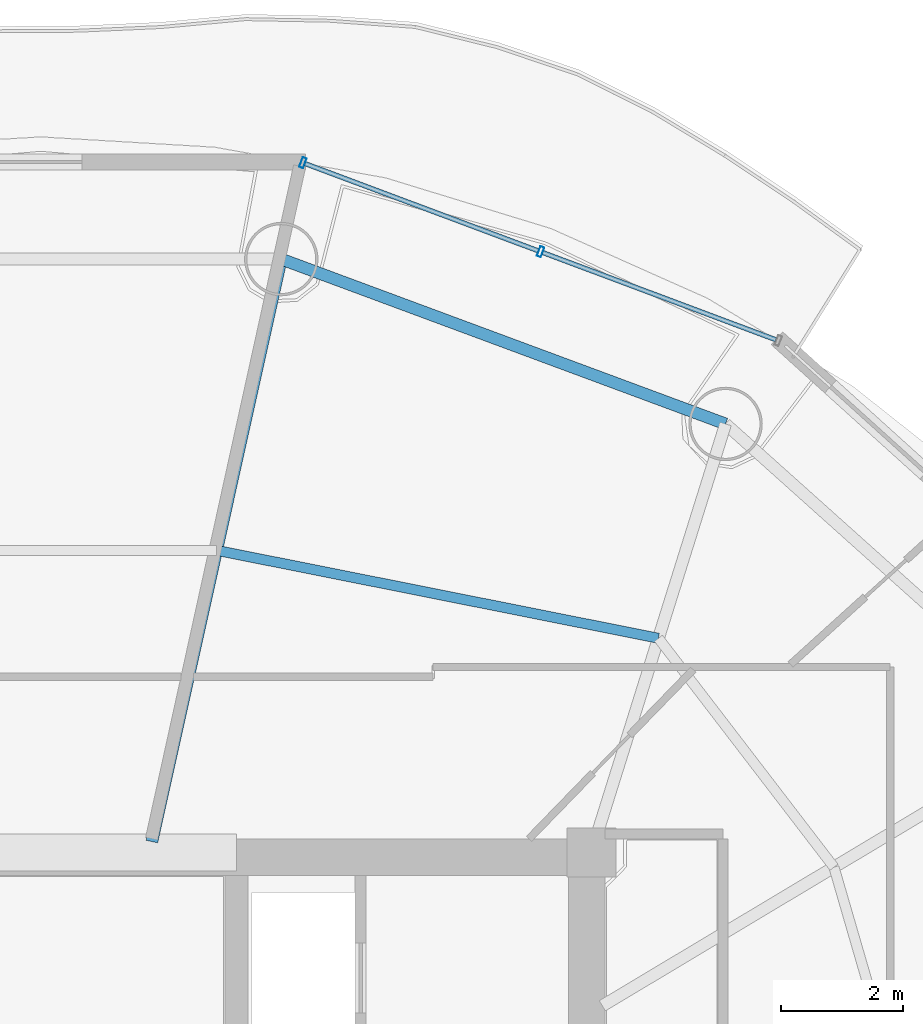
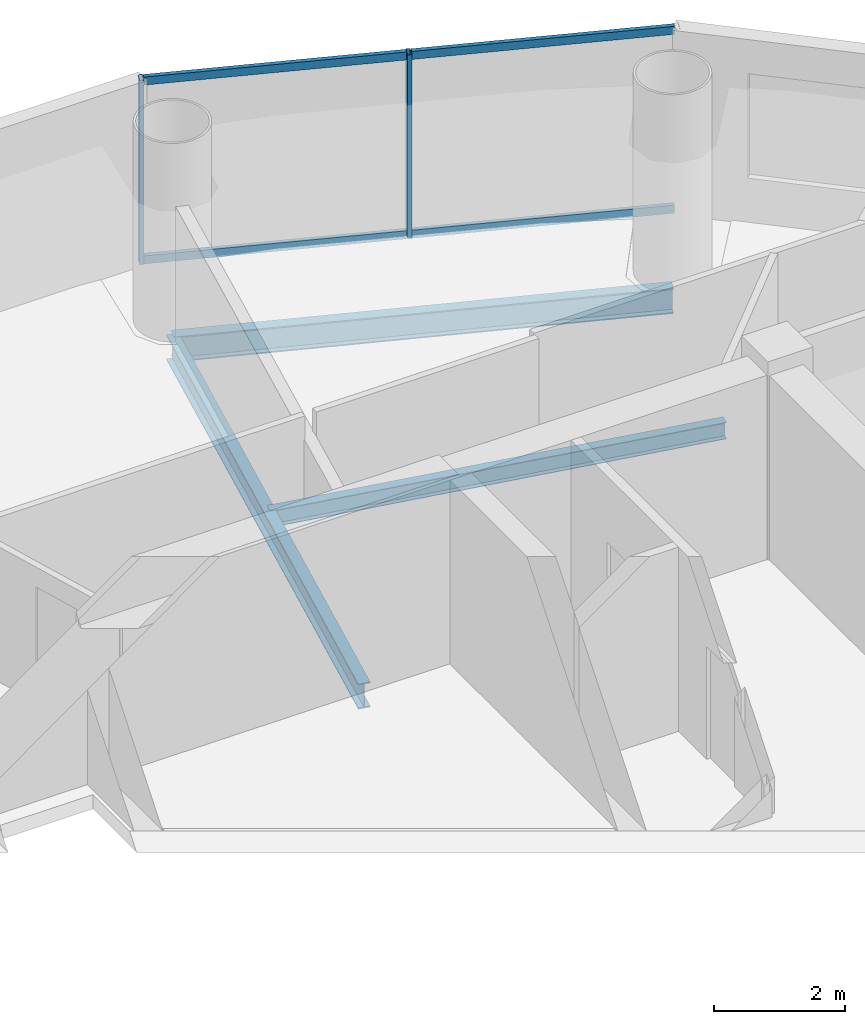
# One storey, part 17 of 26: 6 members, 3 beams, 1 element without a shape of its own.
"""IFC4 building model written with IfcOpenShell, lengths in metres."""

from ifc_helpers import new_model, si_unit, direction, frame, origin, origin_2d, place, context, subcontext, project, spatial, hollow_rectangle, i_section, extrude, source, transform, mapped, material, material_profile, profile_set, type_object, element, aggregate, save


model = new_model("IFC4")

# Units and contexts
model_context = context("Model", 3, precision=1e-05, world=origin(), true_north=direction((-0.2419218956, 0.970295726276)))
body_context = subcontext(model_context, "Body", "Model", "MODEL_VIEW")
ifc_project = project(units=[si_unit("LENGTHUNIT", "METRE"), si_unit("AREAUNIT", "SQUARE_METRE"), si_unit("VOLUMEUNIT", "CUBIC_METRE"), si_unit("PLANEANGLEUNIT", "RADIAN"), si_unit("MASSUNIT", "GRAM", prefix="KILO")], contexts=[model_context])

# Site, building, storey
site_placement = place(None, origin())
site = spatial("IfcSite", under=ifc_project, at=site_placement, CompositionType="ELEMENT")
building_placement = place(site_placement, origin())
building = spatial("IfcBuilding", under=site, at=building_placement, Name="Cobrevalo Terracotta Tower", CompositionType="ELEMENT")
storey_placement = place(building_placement, frame((0.0, 0.0, 228.199951171875)))
storey = spatial("IfcBuildingStorey", under=building, at=storey_placement, Name="L60", CompositionType="ELEMENT", Elevation=228.199951171875)

# Beams
ifc_material_1 = material(Name="Steel S355", Category="steel")
ifc_material_profile_1 = material_profile(ifc_material_1, i_section(OverallWidth=0.194091796875, OverallDepth=0.468994140625, WebThickness=0.011474609375, FlangeThickness=0.0205078125, at=origin_2d()), Name="W 460x106")
ifc_profile_set_1 = profile_set([ifc_material_profile_1], Name="Steel S355")
beam_type_1 = type_object("IfcBeamType", Name="Structural Beam W 460x106 (Steel S355)", PredefinedType="BEAM", material=ifc_profile_set_1)
beam_1_placement = place(storey_placement, frame((41.93115234375, 44.503173828125, -0.49951171875), z_axis=(-0.216782061165, -0.976220025382, 0.0), x_axis=(0.976220025382, -0.216782061165, 0.0)))
element("IfcBeam", 1, at=beam_1_placement, inside=storey, type_object=beam_type_1, Name="L60 radial floor girder 04", PredefinedType="BEAM", context=body_context, shape_type="SweptSolid", body=[
    extrude(i_section(OverallWidth=0.194091796875, OverallDepth=0.468994140625, WebThickness=0.011474609375, FlangeThickness=0.0205078125, at=origin_2d()), origin(), (0.0, 0.0, 1.0), 9.755126953125),
])
ifc_material_profile_2 = material_profile(ifc_material_1, i_section(OverallWidth=0.1650390625, OverallDepth=0.31005859375, WebThickness=0.005859375, FlangeThickness=0.009765625, at=origin_2d()), Name="W 310x38.7")
ifc_profile_set_2 = profile_set([ifc_material_profile_2], Name="Steel S355")
beam_type_2 = type_object("IfcBeamType", Name="Structural Joist W 310x38.7 (Steel S355)", PredefinedType="JOIST", material=ifc_profile_set_2)
beam_2_placement = place(storey_placement, frame((48.097412109375, 38.303955078125, -0.419921875), z_axis=(-0.980762562197, 0.195204499418, 0.0), x_axis=(-0.195204499418, -0.980762562197, 0.0)))
element("IfcBeam", 2, at=beam_2_placement, inside=storey, type_object=beam_type_2, Name="L60 circumferential secondary floor joist 03", PredefinedType="JOIST", context=body_context, shape_type="SweptSolid", body=[
    extrude(i_section(OverallWidth=0.1650390625, OverallDepth=0.31005859375, WebThickness=0.005859375, FlangeThickness=0.009765625, at=origin_2d()), origin(), (0.0, 0.0, 1.0), 7.365234375),
])
ifc_material_profile_3 = material_profile(ifc_material_1, i_section(OverallWidth=0.194091796875, OverallDepth=0.468994140625, WebThickness=0.011474609375, FlangeThickness=0.0205078125, at=origin_2d()), Name="W 460x106")
ifc_profile_set_3 = profile_set([ifc_material_profile_3], Name="Steel S355")
beam_type_3 = type_object("IfcBeamType", Name="Structural Spandrel W 460x106 (Steel S355)", PredefinedType="SPANDREL", material=ifc_profile_set_3)
beam_3_placement = place(storey_placement, frame((49.19482421875, 41.80810546875, -0.49951171875), z_axis=(-0.937545996665, 0.347861328892, 0.0), x_axis=(-0.347861328892, -0.937545996665, 0.0)))
element("IfcBeam", 3, at=beam_3_placement, inside=storey, type_object=beam_type_3, Name="L60 perimeter ring spandrel 03", PredefinedType="SPANDREL", context=body_context, shape_type="SweptSolid", body=[
    extrude(i_section(OverallWidth=0.194091796875, OverallDepth=0.468994140625, WebThickness=0.011474609375, FlangeThickness=0.0205078125, at=origin_2d()), origin(), (0.0, 0.0, 1.0), 7.74755859375),
])

# Curtain wall, members
ifc_material_2 = material(Name="Anodized aluminium", Category="aluminium")
curtain_wall_type = type_object("IfcCurtainWallType", Name="Mid-tower high-wind unitised curtain wall CW-U2", PredefinedType="NOTDEFINED", material=ifc_material_2)
curtain_wall_placement = place(storey_placement, origin())
curtain_wall = element("IfcCurtainWall", 4, at=curtain_wall_placement, inside=storey, type_object=curtain_wall_type, Name="L60 curtain wall CW-L60-S03", PredefinedType="NOTDEFINED")
ifc_material_profile_4 = material_profile(ifc_material_2, hollow_rectangle(XDim=0.074951171875, YDim=0.14990234375, WallThickness=0.00439453125, at=origin_2d()), Name="CWT 75x150")
ifc_profile_set_4 = profile_set([ifc_material_profile_4], Name="Anodized aluminium")
member_type_1 = type_object("IfcMemberType", Name="Tower unitised aluminium transom 75x150", PredefinedType="USERDEFINED", material=ifc_profile_set_4)
shared_shape_1 = source(origin(), body_context, "Body", "SweptSolid", [
    extrude(hollow_rectangle(XDim=0.074951171875, YDim=0.14990234375, WallThickness=0.00439453125, at=origin_2d()), origin(), (0.0, 0.0, 1.0), 4.069580078125),
])
member_1_placement = place(storey_placement, frame((50.019775390625, 43.18310546875, 0.050048828125), z_axis=(-0.936548420649, 0.350538237259, 0.0), x_axis=(-0.350538237259, -0.936548420649, 0.0)))
member_1 = element("IfcMember", 5, at=member_1_placement, type_object=member_type_1, Name="CW-L60-S03 transom B01-T1", ObjectType="TRANSOM", PredefinedType="USERDEFINED", context=body_context, shape_type="MappedRepresentation", body=[
    mapped(shared_shape_1, transform((0.0, 0.0, 0.0), scale=1.0)),
])
member_2_placement = place(storey_placement, frame((50.019775390625, 43.18310546875, 3.385009765625), z_axis=(-0.936548420649, 0.350538237259, 0.0), x_axis=(-0.350538237259, -0.936548420649, 0.0)))
member_2 = element("IfcMember", 6, at=member_2_placement, type_object=member_type_1, Name="CW-L60-S03 transom B01-T2", ObjectType="TRANSOM", PredefinedType="USERDEFINED", context=body_context, shape_type="MappedRepresentation", body=[
    mapped(shared_shape_1, transform((0.0, 0.0, 0.0), scale=1.0)),
])
shared_shape_2 = source(origin(), body_context, "Body", "SweptSolid", [
    extrude(hollow_rectangle(XDim=0.074951171875, YDim=0.14990234375, WallThickness=0.00439453125, at=origin_2d()), origin(), (0.0, 0.0, 1.0), 4.06982421875),
])
member_3_placement = place(storey_placement, frame((46.133544921875, 44.637451171875, 0.050048828125), z_axis=(-0.936555791772, 0.350518542873, 0.0), x_axis=(-0.350518542873, -0.936555791772, 0.0)))
member_3 = element("IfcMember", 7, at=member_3_placement, type_object=member_type_1, Name="CW-L60-S03 transom B02-T1", ObjectType="TRANSOM", PredefinedType="USERDEFINED", context=body_context, shape_type="MappedRepresentation", body=[
    mapped(shared_shape_2, transform((0.0, 0.0, 0.0), scale=1.0)),
])
member_4_placement = place(storey_placement, frame((46.133544921875, 44.637451171875, 3.385009765625), z_axis=(-0.936555791772, 0.350518542873, 0.0), x_axis=(-0.350518542873, -0.936555791772, 0.0)))
member_4 = element("IfcMember", 8, at=member_4_placement, type_object=member_type_1, Name="CW-L60-S03 transom B02-T2", ObjectType="TRANSOM", PredefinedType="USERDEFINED", context=body_context, shape_type="MappedRepresentation", body=[
    mapped(shared_shape_2, transform((0.0, 0.0, 0.0), scale=1.0)),
])
ifc_material_profile_5 = material_profile(ifc_material_2, hollow_rectangle(XDim=0.070068359375, YDim=0.169921875, WallThickness=0.00439453125, at=origin_2d()), Name="CWM 70x170")
ifc_profile_set_5 = profile_set([ifc_material_profile_5], Name="Anodized aluminium")
member_type_2 = type_object("IfcMemberType", Name="Upper tower unitised mullion 70x170", PredefinedType="MULLION", material=ifc_profile_set_5)
shared_shape_3 = source(origin(), body_context, "Body", "SweptSolid", [
    extrude(hollow_rectangle(XDim=0.070068359375, YDim=0.169921875, WallThickness=0.00439453125, at=origin_2d()), origin(), (0.0, 0.0, 1.0), 3.43505859375),
])
member_5_placement = place(storey_placement, frame((46.1708984375, 44.62353515625, 0.0), z_axis=(0.0, 0.0, 1.0), x_axis=(-0.936556004584, 0.350517974259, 0.0)))
member_5 = element("IfcMember", 9, at=member_5_placement, type_object=member_type_2, Name="CW-L60-S03 vertical mullion 02", PredefinedType="MULLION", context=body_context, shape_type="MappedRepresentation", body=[
    mapped(shared_shape_3, transform((0.0, 0.0, 0.0), scale=1.0)),
])
member_6_placement = place(storey_placement, frame((42.28466796875, 46.078125, 0.0), z_axis=(0.0, 0.0, 1.0), x_axis=(-0.936556004584, 0.350517974259, 0.0)))
member_6 = element("IfcMember", 10, at=member_6_placement, type_object=member_type_2, Name="CW-L60-S03 vertical mullion 03", PredefinedType="MULLION", context=body_context, shape_type="MappedRepresentation", body=[
    mapped(shared_shape_3, transform((0.0, 0.0, 0.0), scale=1.0)),
])
aggregate(curtain_wall, [member_5, member_6, member_1, member_2, member_3, member_4])

save(model, "model.ifc")
